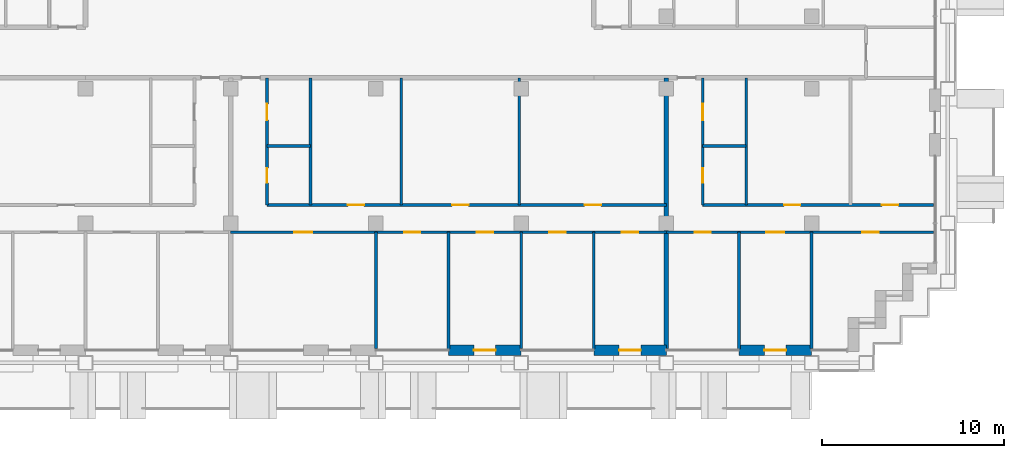
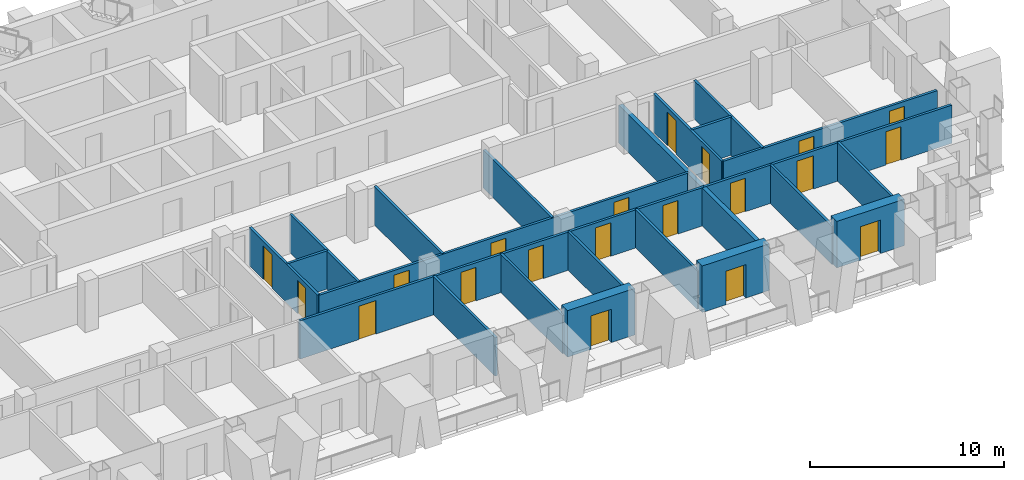
# One storey, part 9 of 16: 22 walls, 20 doors, 20 openings.
"""IFC4 building model written with IfcOpenShell, lengths in metres."""

from ifc_helpers import new_model, si_unit, direction, frame, frame_2d, origin, place, context, subcontext, project, spatial, rectangle, extrude, material, layer, layer_set, type_object, element, fill, save


model = new_model("IFC4")

# Units and contexts
model_context = context("Model", 3, precision=1e-05, world=origin(), true_north=direction((0.0, 1.0)))
body_context = subcontext(model_context, "Body", "Model", "MODEL_VIEW")
ifc_project = project(units=[si_unit("LENGTHUNIT", "METRE"), si_unit("AREAUNIT", "SQUARE_METRE"), si_unit("VOLUMEUNIT", "CUBIC_METRE"), si_unit("PLANEANGLEUNIT", "RADIAN"), si_unit("MASSUNIT", "GRAM", prefix="KILO")], contexts=[model_context])

# Site, building, storey
site_placement = place(None, origin())
site = spatial("IfcSite", under=ifc_project, at=site_placement, CompositionType="ELEMENT")
building_placement = place(site_placement, origin())
building = spatial("IfcBuilding", under=site, at=building_placement, Name="Vidyagriha Tower", CompositionType="ELEMENT")
storey_placement = place(building_placement, frame((0.0, 0.0, 145.39990234375)))
storey = spatial("IfcBuildingStorey", under=building, at=storey_placement, Name="L38", CompositionType="ELEMENT", Elevation=145.39990234375)

# Wall, opening, door
ifc_material_1 = material(Name="Precast concrete C40/50 with brick facing", Category="concrete")
ifc_layer_1 = layer(ifc_material_1, 0.60009765625)
ifc_layer_set_1 = layer_set([ifc_layer_1], Name="Precast concrete C40/50 with brick facing")
wall_type_1 = type_object("IfcWallType", Name="Brick-faced precast wall 600", PredefinedType="STANDARD", material=ifc_layer_set_1)
wall_1_placement = place(storey_placement, frame((6.0, -16.39990234375, 0.0)))
wall_1 = element("IfcWall", 1, at=wall_1_placement, inside=storey, type_object=wall_type_1, Name="Brick door bay wall L38 R23.10", PredefinedType="STANDARD", context=body_context, shape_type="SweptSolid", body=[
    extrude(rectangle(XDim=4.0, YDim=0.60009765625, at=frame_2d((2.0, 0.0))), origin(), (0.0, 0.0, 1.0), 2.920166015625),
])
opening_1_placement = place(wall_1_placement, frame((1.39990234375, 0.0, 0.0)))
opening_1 = element("IfcOpeningElement", 2, at=opening_1_placement, cuts=wall_1, Name="Opening D38-71", PredefinedType="OPENING", context=body_context, shape_type="SweptSolid", body=[
    extrude(rectangle(XDim=1.199951171875, YDim=2.10009765625, at=frame_2d((0.60009765625, 1.050048828125))), frame((0.0, 0.31005859375, 0.0), z_axis=(0.0, -1.0, 0.0), x_axis=(1.0, 0.0, 0.0)), (0.0, 0.0, 1.0), 0.6201171875),
])
ifc_material_2 = material(Name="Aluminium framed glazed sliding door", Category="aluminium")
door_type_1 = type_object("IfcDoorType", Name="Balcony sliding door 1200x2100", OperationType="NOTDEFINED", PredefinedType="DOOR", material=ifc_material_2)
door_1_placement = place(opening_1_placement, origin())
door_1 = element("IfcDoor", 3, at=door_1_placement, inside=storey, type_object=door_type_1, Name="Door D38-71", OperationType="SLIDING_TO_LEFT", OverallHeight=2.10009765625, OverallWidth=1.199951171875, PredefinedType="DOOR", context=body_context, shape_type="SweptSolid", body=[
    extrude(rectangle(XDim=1.199951171875, YDim=2.10009765625, at=frame_2d((0.60009765625, 1.050048828125))), frame((0.0, 0.02490234375, 0.0), z_axis=(0.0, -1.0, 0.0), x_axis=(1.0, 0.0, 0.0)), (0.0, 0.0, 1.0), 0.050048828125),
])
fill(opening_1, door_1)

wall_2_placement = place(storey_placement, frame((14.0, -16.39990234375, 0.0)))
wall_2 = element("IfcWall", 4, at=wall_2_placement, inside=storey, type_object=wall_type_1, Name="Brick door bay wall L38 R23.12", PredefinedType="STANDARD", context=body_context, shape_type="SweptSolid", body=[
    extrude(rectangle(XDim=4.0, YDim=0.60009765625, at=frame_2d((2.0, 0.0))), origin(), (0.0, 0.0, 1.0), 2.920166015625),
])
opening_2_placement = place(wall_2_placement, frame((1.39990234375, 0.0, 0.0)))
opening_2 = element("IfcOpeningElement", 5, at=opening_2_placement, cuts=wall_2, Name="Opening D38-72", PredefinedType="OPENING", context=body_context, shape_type="SweptSolid", body=[
    extrude(rectangle(XDim=1.199951171875, YDim=2.10009765625, at=frame_2d((0.60009765625, 1.050048828125))), frame((0.0, 0.31005859375, 0.0), z_axis=(0.0, -1.0, 0.0), x_axis=(1.0, 0.0, 0.0)), (0.0, 0.0, 1.0), 0.6201171875),
])
door_2_placement = place(opening_2_placement, origin())
door_2 = element("IfcDoor", 6, at=door_2_placement, inside=storey, type_object=door_type_1, Name="Door D38-72", OperationType="SLIDING_TO_LEFT", OverallHeight=2.10009765625, OverallWidth=1.199951171875, PredefinedType="DOOR", context=body_context, shape_type="SweptSolid", body=[
    extrude(rectangle(XDim=1.199951171875, YDim=2.10009765625, at=frame_2d((0.60009765625, 1.050048828125))), frame((0.0, 0.02490234375, 0.0), z_axis=(0.0, -1.0, 0.0), x_axis=(1.0, 0.0, 0.0)), (0.0, 0.0, 1.0), 0.050048828125),
])
fill(opening_2, door_2)

wall_3_placement = place(storey_placement, frame((22.0, -16.39990234375, 0.0)))
wall_3 = element("IfcWall", 7, at=wall_3_placement, inside=storey, type_object=wall_type_1, Name="Brick door bay wall L38 R23.14", PredefinedType="STANDARD", context=body_context, shape_type="SweptSolid", body=[
    extrude(rectangle(XDim=4.0, YDim=0.60009765625, at=frame_2d((2.0, 0.0))), origin(), (0.0, 0.0, 1.0), 2.920166015625),
])
opening_3_placement = place(wall_3_placement, frame((1.39990234375, 0.0, 0.0)))
opening_3 = element("IfcOpeningElement", 8, at=opening_3_placement, cuts=wall_3, Name="Opening D38-73", PredefinedType="OPENING", context=body_context, shape_type="SweptSolid", body=[
    extrude(rectangle(XDim=1.199951171875, YDim=2.10009765625, at=frame_2d((0.60009765625, 1.050048828125))), frame((0.0, 0.31005859375, 0.0), z_axis=(0.0, -1.0, 0.0), x_axis=(1.0, 0.0, 0.0)), (0.0, 0.0, 1.0), 0.6201171875),
])
door_3_placement = place(opening_3_placement, origin())
door_3 = element("IfcDoor", 9, at=door_3_placement, inside=storey, type_object=door_type_1, Name="Door D38-73", OperationType="SLIDING_TO_LEFT", OverallHeight=2.10009765625, OverallWidth=1.199951171875, PredefinedType="DOOR", context=body_context, shape_type="SweptSolid", body=[
    extrude(rectangle(XDim=1.199951171875, YDim=2.10009765625, at=frame_2d((0.60009765625, 1.050048828125))), frame((0.0, 0.02490234375, 0.0), z_axis=(0.0, -1.0, 0.0), x_axis=(1.0, 0.0, 0.0)), (0.0, 0.0, 1.0), 0.050048828125),
])
fill(opening_3, door_3)

# Walls
ifc_material_3 = material(Name="Fired clay brick masonry", Category="masonry")
ifc_layer_2 = layer(ifc_material_3, 0.25)
ifc_layer_set_2 = layer_set([ifc_layer_2], Name="Fired clay brick masonry")
wall_type_2 = type_object("IfcWallType", Name="Fired clay brick demising wall 250", PredefinedType="PARTITIONING", material=ifc_layer_set_2)
wall_4_placement = place(storey_placement, frame((18.0, -1.39990234375, 0.0), z_axis=(0.0, 0.0, 1.0), x_axis=(0.0, -1.0, 0.0)))
element("IfcWall", 10, at=wall_4_placement, inside=storey, type_object=wall_type_2, Name="Wall all-L38-w062", PredefinedType="PARTITIONING", context=body_context, shape_type="SweptSolid", body=[
    extrude(rectangle(XDim=14.91015625, YDim=0.25, at=frame_2d((7.455078125, 0.0))), origin(), (0.0, 0.0, 1.0), 2.400146484375),
])
ifc_material_4 = material(Name="Gypsum board partition")
ifc_layer_3 = layer(ifc_material_4, 0.14990234375)
ifc_layer_set_3 = layer_set([ifc_layer_3], Name="Gypsum board partition")
wall_type_3 = type_object("IfcWallType", Name="Gypsum board partition 150", PredefinedType="PARTITIONING", material=ifc_layer_set_3)
wall_5_placement = place(storey_placement, frame((-1.60009765625, -5.14990234375, 0.0), z_axis=(0.0, 0.0, 1.0), x_axis=(-1.0, 0.0, 0.0)))
element("IfcWall", 11, at=wall_5_placement, inside=storey, type_object=wall_type_3, Name="Wall all-L38-w026", PredefinedType="PARTITIONING", context=body_context, shape_type="SweptSolid", body=[
    extrude(rectangle(XDim=2.39990234375, YDim=0.14990234375, at=frame_2d((1.199951171875, 0.0))), origin(), (0.0, 0.0, 1.0), 2.400146484375),
])
for number, where, z_axis, x_axis, name in (
    (12, (-1.60009765625, -1.39990234375, 0.0), (0.0, 0.0, 1.0), (0.0, -1.0, 0.0), "Wall all-L38-w027"),
    (13, (3.39990234375, -1.39990234375, 0.0), (0.0, 0.0, 1.0), (0.0, -1.0, 0.0), "Wall all-L38-w028"),
    (14, (9.89990234375, -1.39990234375, 0.0), (0.0, 0.0, 1.0), (0.0, -1.0, 0.0), "Wall all-L38-w029"),
):
    element("IfcWall", number, at=place(storey_placement, frame(where, z_axis=z_axis, x_axis=x_axis)), inside=storey, type_object=wall_type_3, Name=name, PredefinedType="PARTITIONING", context=body_context, shape_type="SweptSolid", body=[
        extrude(rectangle(XDim=7.0, YDim=0.14990234375, at=frame_2d((3.5, 0.0))), origin(), (0.0, 0.0, 1.0), 2.400146484375),
    ])

# Wall, openings, doors
wall_6_placement = place(storey_placement, frame((-4.0, -8.39990234375, 0.0)))
wall_6 = element("IfcWall", 15, at=wall_6_placement, inside=storey, type_object=wall_type_3, Name="Wall all-L38-w030", PredefinedType="PARTITIONING", context=body_context, shape_type="SweptSolid", body=[
    extrude(rectangle(XDim=22.0, YDim=0.14990234375, at=frame_2d((11.0, 0.0))), origin(), (0.0, 0.0, 1.0), 2.400146484375),
])
opening_4_placement = place(wall_6_placement, frame((4.449951171875, 0.0, 0.0)))
opening_4 = element("IfcOpeningElement", 16, at=opening_4_placement, cuts=wall_6, Name="Opening D38-27", PredefinedType="OPENING", context=body_context, shape_type="SweptSolid", body=[
    extrude(rectangle(XDim=0.89990234375, YDim=2.10009765625, at=frame_2d((0.449951171875, 1.050048828125))), frame((0.0, 0.0849609375, 0.0), z_axis=(0.0, -1.0, 0.0), x_axis=(1.0, 0.0, 0.0)), (0.0, 0.0, 1.0), 0.169921875),
])
opening_5_placement = place(wall_6_placement, frame((10.199951171875, 0.0, 0.0)))
opening_5 = element("IfcOpeningElement", 17, at=opening_5_placement, cuts=wall_6, Name="Opening D38-28", PredefinedType="OPENING", context=body_context, shape_type="SweptSolid", body=[
    extrude(rectangle(XDim=0.89990234375, YDim=2.10009765625, at=frame_2d((0.449951171875, 1.050048828125))), frame((0.0, 0.0849609375, 0.0), z_axis=(0.0, -1.0, 0.0), x_axis=(1.0, 0.0, 0.0)), (0.0, 0.0, 1.0), 0.169921875),
])
opening_6_placement = place(wall_6_placement, frame((17.5, 0.0, 0.0)))
opening_6 = element("IfcOpeningElement", 18, at=opening_6_placement, cuts=wall_6, Name="Opening D38-29", PredefinedType="OPENING", context=body_context, shape_type="SweptSolid", body=[
    extrude(rectangle(XDim=0.89990234375, YDim=2.10009765625, at=frame_2d((0.449951171875, 1.050048828125))), frame((0.0, 0.0849609375, 0.0), z_axis=(0.0, -1.0, 0.0), x_axis=(1.0, 0.0, 0.0)), (0.0, 0.0, 1.0), 0.169921875),
])
ifc_material_5 = material(Name="Timber door leaf", Category="wood")
door_type_2 = type_object("IfcDoorType", Name="Room door 900x2100", OperationType="NOTDEFINED", PredefinedType="DOOR", material=ifc_material_5)
door_4_placement = place(opening_4_placement, origin())
door_4 = element("IfcDoor", 19, at=door_4_placement, inside=storey, type_object=door_type_2, Name="Door D38-27", OperationType="SINGLE_SWING_RIGHT", OverallHeight=2.10009765625, OverallWidth=0.89990234375, PredefinedType="DOOR", context=body_context, shape_type="SweptSolid", body=[
    extrude(rectangle(XDim=0.89990234375, YDim=2.10009765625, at=frame_2d((0.449951171875, 1.050048828125))), frame((0.0, 0.02490234375, 0.0), z_axis=(0.0, -1.0, 0.0), x_axis=(1.0, 0.0, 0.0)), (0.0, 0.0, 1.0), 0.050048828125),
])
fill(opening_4, door_4)
door_5_placement = place(opening_5_placement, origin())
door_5 = element("IfcDoor", 20, at=door_5_placement, inside=storey, type_object=door_type_2, Name="Door D38-28", OperationType="SINGLE_SWING_RIGHT", OverallHeight=2.10009765625, OverallWidth=0.89990234375, PredefinedType="DOOR", context=body_context, shape_type="SweptSolid", body=[
    extrude(rectangle(XDim=0.89990234375, YDim=2.10009765625, at=frame_2d((0.449951171875, 1.050048828125))), frame((0.0, 0.02490234375, 0.0), z_axis=(0.0, -1.0, 0.0), x_axis=(1.0, 0.0, 0.0)), (0.0, 0.0, 1.0), 0.050048828125),
])
fill(opening_5, door_5)
door_6_placement = place(opening_6_placement, origin())
door_6 = element("IfcDoor", 21, at=door_6_placement, inside=storey, type_object=door_type_2, Name="Door D38-29", OperationType="SINGLE_SWING_LEFT", OverallHeight=2.10009765625, OverallWidth=0.89990234375, PredefinedType="DOOR", context=body_context, shape_type="SweptSolid", body=[
    extrude(rectangle(XDim=0.89990234375, YDim=2.10009765625, at=frame_2d((0.449951171875, 1.050048828125))), frame((0.0, 0.02490234375, 0.0), z_axis=(0.0, -1.0, 0.0), x_axis=(1.0, 0.0, 0.0)), (0.0, 0.0, 1.0), 0.050048828125),
])
fill(opening_6, door_6)

wall_7_placement = place(storey_placement, frame((18.0, -9.89990234375, 0.0), z_axis=(0.0, 0.0, 1.0), x_axis=(-1.0, 0.0, 0.0)))
wall_7 = element("IfcWall", 22, at=wall_7_placement, inside=storey, type_object=wall_type_3, Name="Wall all-L38-w034", PredefinedType="PARTITIONING", context=body_context, shape_type="SweptSolid", body=[
    extrude(rectangle(XDim=24.0, YDim=0.14990234375, at=frame_2d((12.0, 0.0))), origin(), (0.0, 0.0, 1.0), 2.400146484375),
])
opening_7_placement = place(wall_7_placement, frame((19.5, 0.0, 0.0)))
opening_7 = element("IfcOpeningElement", 23, at=opening_7_placement, cuts=wall_7, Name="Opening D38-30", PredefinedType="OPENING", context=body_context, shape_type="SweptSolid", body=[
    extrude(rectangle(XDim=1.0, YDim=2.10009765625, at=frame_2d((0.5, 1.050048828125))), frame((0.0, 0.0849609375, 0.0), z_axis=(0.0, -1.0, 0.0), x_axis=(1.0, 0.0, 0.0)), (0.0, 0.0, 1.0), 0.169921875),
])
opening_8_placement = place(wall_7_placement, frame((13.550048828125, 0.0, 0.0)))
opening_8 = element("IfcOpeningElement", 24, at=opening_8_placement, cuts=wall_7, Name="Opening D38-31", PredefinedType="OPENING", context=body_context, shape_type="SweptSolid", body=[
    extrude(rectangle(XDim=0.89990234375, YDim=2.10009765625, at=frame_2d((0.449951171875, 1.050048828125))), frame((0.0, 0.0849609375, 0.0), z_axis=(0.0, -1.0, 0.0), x_axis=(1.0, 0.0, 0.0)), (0.0, 0.0, 1.0), 0.169921875),
])
opening_9_placement = place(wall_7_placement, frame((9.550048828125, 0.0, 0.0)))
opening_9 = element("IfcOpeningElement", 25, at=opening_9_placement, cuts=wall_7, Name="Opening D38-32", PredefinedType="OPENING", context=body_context, shape_type="SweptSolid", body=[
    extrude(rectangle(XDim=0.89990234375, YDim=2.10009765625, at=frame_2d((0.449951171875, 1.050048828125))), frame((0.0, 0.0849609375, 0.0), z_axis=(0.0, -1.0, 0.0), x_axis=(1.0, 0.0, 0.0)), (0.0, 0.0, 1.0), 0.169921875),
])
opening_10_placement = place(wall_7_placement, frame((5.550048828125, 0.0, 0.0)))
opening_10 = element("IfcOpeningElement", 26, at=opening_10_placement, cuts=wall_7, Name="Opening D38-33", PredefinedType="OPENING", context=body_context, shape_type="SweptSolid", body=[
    extrude(rectangle(XDim=0.89990234375, YDim=2.10009765625, at=frame_2d((0.449951171875, 1.050048828125))), frame((0.0, 0.0849609375, 0.0), z_axis=(0.0, -1.0, 0.0), x_axis=(1.0, 0.0, 0.0)), (0.0, 0.0, 1.0), 0.169921875),
])
opening_11_placement = place(wall_7_placement, frame((1.550048828125, 0.0, 0.0)))
opening_11 = element("IfcOpeningElement", 27, at=opening_11_placement, cuts=wall_7, Name="Opening D38-34", PredefinedType="OPENING", context=body_context, shape_type="SweptSolid", body=[
    extrude(rectangle(XDim=0.89990234375, YDim=2.10009765625, at=frame_2d((0.449951171875, 1.050048828125))), frame((0.0, 0.0849609375, 0.0), z_axis=(0.0, -1.0, 0.0), x_axis=(1.0, 0.0, 0.0)), (0.0, 0.0, 1.0), 0.169921875),
])
ifc_material_6 = material(Name="Timber door leaf", Category="wood")
door_type_3 = type_object("IfcDoorType", Name="Room door 1000x2100", OperationType="NOTDEFINED", PredefinedType="DOOR", material=ifc_material_6)
door_7_placement = place(opening_7_placement, origin())
door_7 = element("IfcDoor", 28, at=door_7_placement, inside=storey, type_object=door_type_3, Name="Door D38-30", OperationType="SINGLE_SWING_RIGHT", OverallHeight=2.10009765625, OverallWidth=1.0, PredefinedType="DOOR", context=body_context, shape_type="SweptSolid", body=[
    extrude(rectangle(XDim=1.0, YDim=2.10009765625, at=frame_2d((0.5, 1.050048828125))), frame((0.0, 0.02490234375, 0.0), z_axis=(0.0, -1.0, 0.0), x_axis=(1.0, 0.0, 0.0)), (0.0, 0.0, 1.0), 0.050048828125),
])
fill(opening_7, door_7)
door_8_placement = place(opening_8_placement, origin())
door_8 = element("IfcDoor", 29, at=door_8_placement, inside=storey, type_object=door_type_2, Name="Door D38-31", OperationType="SINGLE_SWING_RIGHT", OverallHeight=2.10009765625, OverallWidth=0.89990234375, PredefinedType="DOOR", context=body_context, shape_type="SweptSolid", body=[
    extrude(rectangle(XDim=0.89990234375, YDim=2.10009765625, at=frame_2d((0.449951171875, 1.050048828125))), frame((0.0, 0.02490234375, 0.0), z_axis=(0.0, -1.0, 0.0), x_axis=(1.0, 0.0, 0.0)), (0.0, 0.0, 1.0), 0.050048828125),
])
fill(opening_8, door_8)
door_9_placement = place(opening_9_placement, origin())
door_9 = element("IfcDoor", 30, at=door_9_placement, inside=storey, type_object=door_type_2, Name="Door D38-32", OperationType="SINGLE_SWING_RIGHT", OverallHeight=2.10009765625, OverallWidth=0.89990234375, PredefinedType="DOOR", context=body_context, shape_type="SweptSolid", body=[
    extrude(rectangle(XDim=0.89990234375, YDim=2.10009765625, at=frame_2d((0.449951171875, 1.050048828125))), frame((0.0, 0.02490234375, 0.0), z_axis=(0.0, -1.0, 0.0), x_axis=(1.0, 0.0, 0.0)), (0.0, 0.0, 1.0), 0.050048828125),
])
fill(opening_9, door_9)
door_10_placement = place(opening_10_placement, origin())
door_10 = element("IfcDoor", 31, at=door_10_placement, inside=storey, type_object=door_type_2, Name="Door D38-33", OperationType="SINGLE_SWING_RIGHT", OverallHeight=2.10009765625, OverallWidth=0.89990234375, PredefinedType="DOOR", context=body_context, shape_type="SweptSolid", body=[
    extrude(rectangle(XDim=0.89990234375, YDim=2.10009765625, at=frame_2d((0.449951171875, 1.050048828125))), frame((0.0, 0.02490234375, 0.0), z_axis=(0.0, -1.0, 0.0), x_axis=(1.0, 0.0, 0.0)), (0.0, 0.0, 1.0), 0.050048828125),
])
fill(opening_10, door_10)
door_11_placement = place(opening_11_placement, origin())
door_11 = element("IfcDoor", 32, at=door_11_placement, inside=storey, type_object=door_type_2, Name="Door D38-34", OperationType="SINGLE_SWING_RIGHT", OverallHeight=2.10009765625, OverallWidth=0.89990234375, PredefinedType="DOOR", context=body_context, shape_type="SweptSolid", body=[
    extrude(rectangle(XDim=0.89990234375, YDim=2.10009765625, at=frame_2d((0.449951171875, 1.050048828125))), frame((0.0, 0.02490234375, 0.0), z_axis=(0.0, -1.0, 0.0), x_axis=(1.0, 0.0, 0.0)), (0.0, 0.0, 1.0), 0.050048828125),
])
fill(opening_11, door_11)

# Walls
wall_8_placement = place(storey_placement, frame((2.0, -9.89990234375, 0.0), z_axis=(0.0, 0.0, 1.0), x_axis=(0.0, -1.0, 0.0)))
element("IfcWall", 33, at=wall_8_placement, inside=storey, type_object=wall_type_3, Name="Wall all-L38-w040", PredefinedType="PARTITIONING", context=body_context, shape_type="SweptSolid", body=[
    extrude(rectangle(XDim=6.41015625, YDim=0.14990234375, at=frame_2d((3.205078125, 0.0))), origin(), (0.0, 0.0, 1.0), 2.400146484375),
])
wall_9_placement = place(storey_placement, frame((6.0, -9.89990234375, 0.0), z_axis=(0.0, 0.0, 1.0), x_axis=(0.0, -1.0, 0.0)))
element("IfcWall", 34, at=wall_9_placement, inside=storey, type_object=wall_type_3, Name="Wall all-L38-w041", PredefinedType="PARTITIONING", context=body_context, shape_type="SweptSolid", body=[
    extrude(rectangle(XDim=6.421142578125, YDim=0.14990234375, at=frame_2d((3.21044921875, 0.0))), origin(), (0.0, 0.0, 1.0), 2.400146484375),
])
wall_10_placement = place(storey_placement, frame((10.0, -9.89990234375, 0.0), z_axis=(0.0, 0.0, 1.0), x_axis=(0.0, -1.0, 0.0)))
element("IfcWall", 35, at=wall_10_placement, inside=storey, type_object=wall_type_3, Name="Wall all-L38-w042", PredefinedType="PARTITIONING", context=body_context, shape_type="SweptSolid", body=[
    extrude(rectangle(XDim=6.41015625, YDim=0.14990234375, at=frame_2d((3.205078125, 0.0))), origin(), (0.0, 0.0, 1.0), 2.400146484375),
])
wall_11_placement = place(storey_placement, frame((14.0, -9.89990234375, 0.0), z_axis=(0.0, 0.0, 1.0), x_axis=(0.0, -1.0, 0.0)))
element("IfcWall", 36, at=wall_11_placement, inside=storey, type_object=wall_type_3, Name="Wall all-L38-w043", PredefinedType="PARTITIONING", context=body_context, shape_type="SweptSolid", body=[
    extrude(rectangle(XDim=6.421142578125, YDim=0.14990234375, at=frame_2d((3.21044921875, 0.0))), origin(), (0.0, 0.0, 1.0), 2.400146484375),
])
wall_12_placement = place(storey_placement, frame((22.39990234375, -5.14990234375, 0.0), z_axis=(0.0, 0.0, 1.0), x_axis=(-1.0, 0.0, 0.0)))
element("IfcWall", 37, at=wall_12_placement, inside=storey, type_object=wall_type_3, Name="Wall all-L38-w049", PredefinedType="PARTITIONING", context=body_context, shape_type="SweptSolid", body=[
    extrude(rectangle(XDim=2.39990234375, YDim=0.14990234375, at=frame_2d((1.199951171875, 0.0))), origin(), (0.0, 0.0, 1.0), 2.400146484375),
])
wall_13_placement = place(storey_placement, frame((22.39990234375, -1.39990234375, 0.0), z_axis=(0.0, 0.0, 1.0), x_axis=(0.0, -1.0, 0.0)))
element("IfcWall", 38, at=wall_13_placement, inside=storey, type_object=wall_type_3, Name="Wall all-L38-w050", PredefinedType="PARTITIONING", context=body_context, shape_type="SweptSolid", body=[
    extrude(rectangle(XDim=7.0, YDim=0.14990234375, at=frame_2d((3.5, 0.0))), origin(), (0.0, 0.0, 1.0), 2.400146484375),
])

# Wall, openings, doors
wall_14_placement = place(storey_placement, frame((20.0, -8.39990234375, 0.0)))
wall_14 = element("IfcWall", 39, at=wall_14_placement, inside=storey, type_object=wall_type_3, Name="Wall all-L38-w052", PredefinedType="PARTITIONING", context=body_context, shape_type="SweptSolid", body=[
    extrude(rectangle(XDim=12.719970703125, YDim=0.14990234375, at=frame_2d((6.35986328125, 0.0))), origin(), (0.0, 0.0, 1.0), 2.400146484375),
])
opening_12_placement = place(wall_14_placement, frame((4.48193359375, 0.0, 0.0)))
opening_12 = element("IfcOpeningElement", 40, at=opening_12_placement, cuts=wall_14, Name="Opening D38-38", PredefinedType="OPENING", context=body_context, shape_type="SweptSolid", body=[
    extrude(rectangle(XDim=0.89990234375, YDim=2.10009765625, at=frame_2d((0.449951171875, 1.050048828125))), frame((0.0, 0.0849609375, 0.0), z_axis=(0.0, -1.0, 0.0), x_axis=(1.0, 0.0, 0.0)), (0.0, 0.0, 1.0), 0.169921875),
])
opening_13_placement = place(wall_14_placement, frame((9.875, 0.0, 0.0)))
opening_13 = element("IfcOpeningElement", 41, at=opening_13_placement, cuts=wall_14, Name="Opening D38-39", PredefinedType="OPENING", context=body_context, shape_type="SweptSolid", body=[
    extrude(rectangle(XDim=0.89990234375, YDim=2.10009765625, at=frame_2d((0.449951171875, 1.050048828125))), frame((0.0, 0.0849609375, 0.0), z_axis=(0.0, -1.0, 0.0), x_axis=(1.0, 0.0, 0.0)), (0.0, 0.0, 1.0), 0.169921875),
])
door_12_placement = place(opening_12_placement, origin())
door_12 = element("IfcDoor", 42, at=door_12_placement, inside=storey, type_object=door_type_2, Name="Door D38-38", OperationType="SINGLE_SWING_LEFT", OverallHeight=2.10009765625, OverallWidth=0.89990234375, PredefinedType="DOOR", context=body_context, shape_type="SweptSolid", body=[
    extrude(rectangle(XDim=0.89990234375, YDim=2.10009765625, at=frame_2d((0.449951171875, 1.050048828125))), frame((0.0, 0.02490234375, 0.0), z_axis=(0.0, -1.0, 0.0), x_axis=(1.0, 0.0, 0.0)), (0.0, 0.0, 1.0), 0.050048828125),
])
fill(opening_12, door_12)
door_13_placement = place(opening_13_placement, origin())
door_13 = element("IfcDoor", 43, at=door_13_placement, inside=storey, type_object=door_type_2, Name="Door D38-39", OperationType="SINGLE_SWING_RIGHT", OverallHeight=2.10009765625, OverallWidth=0.89990234375, PredefinedType="DOOR", context=body_context, shape_type="SweptSolid", body=[
    extrude(rectangle(XDim=0.89990234375, YDim=2.10009765625, at=frame_2d((0.449951171875, 1.050048828125))), frame((0.0, 0.02490234375, 0.0), z_axis=(0.0, -1.0, 0.0), x_axis=(1.0, 0.0, 0.0)), (0.0, 0.0, 1.0), 0.050048828125),
])
fill(opening_13, door_13)

wall_15_placement = place(storey_placement, frame((32.719970703125, -9.89990234375, 0.0), z_axis=(0.0, 0.0, 1.0), x_axis=(-1.0, 0.0, 0.0)))
wall_15 = element("IfcWall", 44, at=wall_15_placement, inside=storey, type_object=wall_type_3, Name="Wall all-L38-w055", PredefinedType="PARTITIONING", context=body_context, shape_type="SweptSolid", body=[
    extrude(rectangle(XDim=14.719970703125, YDim=0.14990234375, at=frame_2d((7.35986328125, 0.0))), origin(), (0.0, 0.0, 1.0), 2.400146484375),
])
opening_14_placement = place(wall_15_placement, frame((12.27001953125, 0.0, 0.0)))
opening_14 = element("IfcOpeningElement", 45, at=opening_14_placement, cuts=wall_15, Name="Opening D38-40", PredefinedType="OPENING", context=body_context, shape_type="SweptSolid", body=[
    extrude(rectangle(XDim=0.89990234375, YDim=2.10009765625, at=frame_2d((0.449951171875, 1.050048828125))), frame((0.0, 0.0849609375, 0.0), z_axis=(0.0, -1.0, 0.0), x_axis=(1.0, 0.0, 0.0)), (0.0, 0.0, 1.0), 0.169921875),
])
opening_15_placement = place(wall_15_placement, frame((8.219970703125, 0.0, 0.0)))
opening_15 = element("IfcOpeningElement", 46, at=opening_15_placement, cuts=wall_15, Name="Opening D38-41", PredefinedType="OPENING", context=body_context, shape_type="SweptSolid", body=[
    extrude(rectangle(XDim=1.0, YDim=2.10009765625, at=frame_2d((0.5, 1.050048828125))), frame((0.0, 0.0849609375, 0.0), z_axis=(0.0, -1.0, 0.0), x_axis=(1.0, 0.0, 0.0)), (0.0, 0.0, 1.0), 0.169921875),
])
opening_16_placement = place(wall_15_placement, frame((3.02001953125, 0.0, 0.0)))
opening_16 = element("IfcOpeningElement", 47, at=opening_16_placement, cuts=wall_15, Name="Opening D38-42", PredefinedType="OPENING", context=body_context, shape_type="SweptSolid", body=[
    extrude(rectangle(XDim=0.89990234375, YDim=2.10009765625, at=frame_2d((0.449951171875, 1.050048828125))), frame((0.0, 0.0849609375, 0.0), z_axis=(0.0, -1.0, 0.0), x_axis=(1.0, 0.0, 0.0)), (0.0, 0.0, 1.0), 0.169921875),
])
door_14_placement = place(opening_15_placement, origin())
door_14 = element("IfcDoor", 48, at=door_14_placement, inside=storey, type_object=door_type_3, Name="Door D38-41", OperationType="SINGLE_SWING_RIGHT", OverallHeight=2.10009765625, OverallWidth=1.0, PredefinedType="DOOR", context=body_context, shape_type="SweptSolid", body=[
    extrude(rectangle(XDim=1.0, YDim=2.10009765625, at=frame_2d((0.5, 1.050048828125))), frame((0.0, 0.02490234375, 0.0), z_axis=(0.0, -1.0, 0.0), x_axis=(1.0, 0.0, 0.0)), (0.0, 0.0, 1.0), 0.050048828125),
])
fill(opening_15, door_14)
door_15_placement = place(opening_14_placement, origin())
door_15 = element("IfcDoor", 49, at=door_15_placement, inside=storey, type_object=door_type_2, Name="Door D38-40", OperationType="SINGLE_SWING_RIGHT", OverallHeight=2.10009765625, OverallWidth=0.89990234375, PredefinedType="DOOR", context=body_context, shape_type="SweptSolid", body=[
    extrude(rectangle(XDim=0.89990234375, YDim=2.10009765625, at=frame_2d((0.449951171875, 1.050048828125))), frame((0.0, 0.02490234375, 0.0), z_axis=(0.0, -1.0, 0.0), x_axis=(1.0, 0.0, 0.0)), (0.0, 0.0, 1.0), 0.050048828125),
])
fill(opening_14, door_15)
door_16_placement = place(opening_16_placement, origin())
door_16 = element("IfcDoor", 50, at=door_16_placement, inside=storey, type_object=door_type_2, Name="Door D38-42", OperationType="SINGLE_SWING_RIGHT", OverallHeight=2.10009765625, OverallWidth=0.89990234375, PredefinedType="DOOR", context=body_context, shape_type="SweptSolid", body=[
    extrude(rectangle(XDim=0.89990234375, YDim=2.10009765625, at=frame_2d((0.449951171875, 1.050048828125))), frame((0.0, 0.02490234375, 0.0), z_axis=(0.0, -1.0, 0.0), x_axis=(1.0, 0.0, 0.0)), (0.0, 0.0, 1.0), 0.050048828125),
])
fill(opening_16, door_16)

# Walls
wall_16_placement = place(storey_placement, frame((22.0, -9.89990234375, 0.0), z_axis=(0.0, 0.0, 1.0), x_axis=(0.0, -1.0, 0.0)))
element("IfcWall", 51, at=wall_16_placement, inside=storey, type_object=wall_type_3, Name="Wall all-L38-w059", PredefinedType="PARTITIONING", context=body_context, shape_type="SweptSolid", body=[
    extrude(rectangle(XDim=6.421142578125, YDim=0.14990234375, at=frame_2d((3.21044921875, 0.0))), origin(), (0.0, 0.0, 1.0), 2.400146484375),
])
wall_17_placement = place(storey_placement, frame((26.0, -9.89990234375, 0.0), z_axis=(0.0, 0.0, 1.0), x_axis=(0.0, -1.0, 0.0)))
element("IfcWall", 52, at=wall_17_placement, inside=storey, type_object=wall_type_3, Name="Wall all-L38-w060", PredefinedType="PARTITIONING", context=body_context, shape_type="SweptSolid", body=[
    extrude(rectangle(XDim=6.41015625, YDim=0.14990234375, at=frame_2d((3.205078125, 0.0))), origin(), (0.0, 0.0, 1.0), 2.400146484375),
])

# Wall, openings, doors
ifc_material_7 = material(Name="Moisture resistant gypsum board partition")
ifc_layer_4 = layer(ifc_material_7, 0.14990234375)
ifc_layer_set_4 = layer_set([ifc_layer_4], Name="Moisture resistant gypsum board partition")
wall_type_4 = type_object("IfcWallType", Name="Gypsum board wet-area partition 150", PredefinedType="PARTITIONING", material=ifc_layer_set_4)
wall_18_placement = place(storey_placement, frame((-4.0, -1.39990234375, 0.0), z_axis=(0.0, 0.0, 1.0), x_axis=(0.0, -1.0, 0.0)))
wall_18 = element("IfcWall", 53, at=wall_18_placement, inside=storey, type_object=wall_type_4, Name="Wall all-L38-w023", PredefinedType="PARTITIONING", context=body_context, shape_type="SweptSolid", body=[
    extrude(rectangle(XDim=7.0, YDim=0.14990234375, at=frame_2d((3.5, 0.0))), origin(), (0.0, 0.0, 1.0), 2.400146484375),
])
opening_17_placement = place(wall_18_placement, frame((1.425048828125, 0.0, 0.0)))
opening_17 = element("IfcOpeningElement", 54, at=opening_17_placement, cuts=wall_18, Name="Opening D38-25", PredefinedType="OPENING", context=body_context, shape_type="SweptSolid", body=[
    extrude(rectangle(XDim=0.89990234375, YDim=2.10009765625, at=frame_2d((0.449951171875, 1.050048828125))), frame((0.0, 0.0849609375, 0.0), z_axis=(0.0, -1.0, 0.0), x_axis=(1.0, 0.0, 0.0)), (0.0, 0.0, 1.0), 0.169921875),
])
opening_18_placement = place(wall_18_placement, frame((4.97509765625, 0.0, 0.0)))
opening_18 = element("IfcOpeningElement", 55, at=opening_18_placement, cuts=wall_18, Name="Opening D38-26", PredefinedType="OPENING", context=body_context, shape_type="SweptSolid", body=[
    extrude(rectangle(XDim=0.800048828125, YDim=2.10009765625, at=frame_2d((0.39990234375, 1.050048828125))), frame((0.0, 0.0849609375, 0.0), z_axis=(0.0, -1.0, 0.0), x_axis=(1.0, 0.0, 0.0)), (0.0, 0.0, 1.0), 0.169921875),
])
ifc_material_8 = material(Name="Timber door leaf", Category="wood")
door_type_4 = type_object("IfcDoorType", Name="Bathroom door 800x2100", OperationType="NOTDEFINED", PredefinedType="DOOR", material=ifc_material_8)
door_17_placement = place(opening_18_placement, origin())
door_17 = element("IfcDoor", 56, at=door_17_placement, inside=storey, type_object=door_type_4, Name="Door D38-26", OperationType="SINGLE_SWING_RIGHT", OverallHeight=2.10009765625, OverallWidth=0.800048828125, PredefinedType="DOOR", context=body_context, shape_type="SweptSolid", body=[
    extrude(rectangle(XDim=0.800048828125, YDim=2.10009765625, at=frame_2d((0.39990234375, 1.050048828125))), frame((0.0, 0.02490234375, 0.0), z_axis=(0.0, -1.0, 0.0), x_axis=(1.0, 0.0, 0.0)), (0.0, 0.0, 1.0), 0.050048828125),
])
fill(opening_18, door_17)
ifc_material_9 = material(Name="Timber door leaf", Category="wood")
door_type_5 = type_object("IfcDoorType", Name="Kitchen door 900x2100", OperationType="NOTDEFINED", PredefinedType="DOOR", material=ifc_material_9)
door_18_placement = place(opening_17_placement, origin())
door_18 = element("IfcDoor", 57, at=door_18_placement, inside=storey, type_object=door_type_5, Name="Door D38-25", OperationType="SINGLE_SWING_LEFT", OverallHeight=2.10009765625, OverallWidth=0.89990234375, PredefinedType="DOOR", context=body_context, shape_type="SweptSolid", body=[
    extrude(rectangle(XDim=0.89990234375, YDim=2.10009765625, at=frame_2d((0.449951171875, 1.050048828125))), frame((0.0, 0.02490234375, 0.0), z_axis=(0.0, -1.0, 0.0), x_axis=(1.0, 0.0, 0.0)), (0.0, 0.0, 1.0), 0.050048828125),
])
fill(opening_17, door_18)

wall_19_placement = place(storey_placement, frame((20.0, -1.39990234375, 0.0), z_axis=(0.0, 0.0, 1.0), x_axis=(0.0, -1.0, 0.0)))
wall_19 = element("IfcWall", 58, at=wall_19_placement, inside=storey, type_object=wall_type_4, Name="Wall all-L38-w046", PredefinedType="PARTITIONING", context=body_context, shape_type="SweptSolid", body=[
    extrude(rectangle(XDim=7.0, YDim=0.14990234375, at=frame_2d((3.5, 0.0))), origin(), (0.0, 0.0, 1.0), 2.400146484375),
])
opening_19_placement = place(wall_19_placement, frame((1.425048828125, 0.0, 0.0)))
opening_19 = element("IfcOpeningElement", 59, at=opening_19_placement, cuts=wall_19, Name="Opening D38-36", PredefinedType="OPENING", context=body_context, shape_type="SweptSolid", body=[
    extrude(rectangle(XDim=0.89990234375, YDim=2.10009765625, at=frame_2d((0.449951171875, 1.050048828125))), frame((0.0, 0.0849609375, 0.0), z_axis=(0.0, -1.0, 0.0), x_axis=(1.0, 0.0, 0.0)), (0.0, 0.0, 1.0), 0.169921875),
])
opening_20_placement = place(wall_19_placement, frame((4.97509765625, 0.0, 0.0)))
opening_20 = element("IfcOpeningElement", 60, at=opening_20_placement, cuts=wall_19, Name="Opening D38-37", PredefinedType="OPENING", context=body_context, shape_type="SweptSolid", body=[
    extrude(rectangle(XDim=0.800048828125, YDim=2.10009765625, at=frame_2d((0.39990234375, 1.050048828125))), frame((0.0, 0.0849609375, 0.0), z_axis=(0.0, -1.0, 0.0), x_axis=(1.0, 0.0, 0.0)), (0.0, 0.0, 1.0), 0.169921875),
])
door_19_placement = place(opening_20_placement, origin())
door_19 = element("IfcDoor", 61, at=door_19_placement, inside=storey, type_object=door_type_4, Name="Door D38-37", OperationType="SINGLE_SWING_RIGHT", OverallHeight=2.10009765625, OverallWidth=0.800048828125, PredefinedType="DOOR", context=body_context, shape_type="SweptSolid", body=[
    extrude(rectangle(XDim=0.800048828125, YDim=2.10009765625, at=frame_2d((0.39990234375, 1.050048828125))), frame((0.0, 0.02490234375, 0.0), z_axis=(0.0, -1.0, 0.0), x_axis=(1.0, 0.0, 0.0)), (0.0, 0.0, 1.0), 0.050048828125),
])
fill(opening_20, door_19)
door_20_placement = place(opening_19_placement, origin())
door_20 = element("IfcDoor", 62, at=door_20_placement, inside=storey, type_object=door_type_5, Name="Door D38-36", OperationType="SINGLE_SWING_LEFT", OverallHeight=2.10009765625, OverallWidth=0.89990234375, PredefinedType="DOOR", context=body_context, shape_type="SweptSolid", body=[
    extrude(rectangle(XDim=0.89990234375, YDim=2.10009765625, at=frame_2d((0.449951171875, 1.050048828125))), frame((0.0, 0.02490234375, 0.0), z_axis=(0.0, -1.0, 0.0), x_axis=(1.0, 0.0, 0.0)), (0.0, 0.0, 1.0), 0.050048828125),
])
fill(opening_19, door_20)

save(model, "model.ifc")
